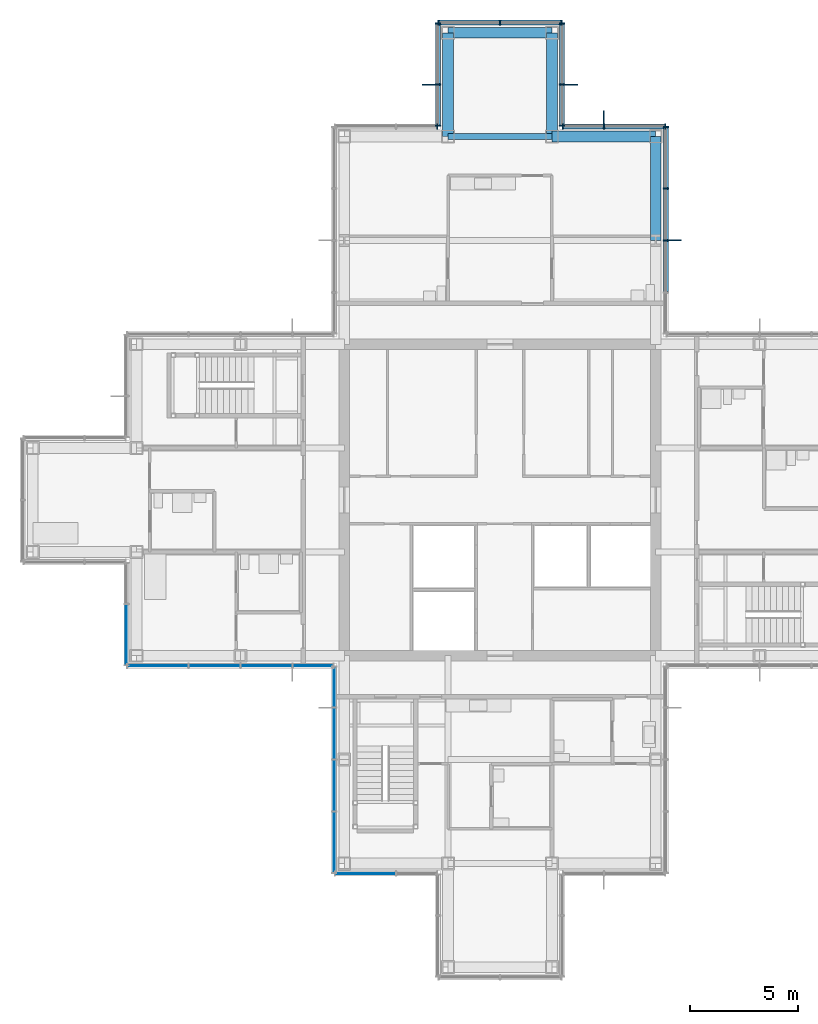
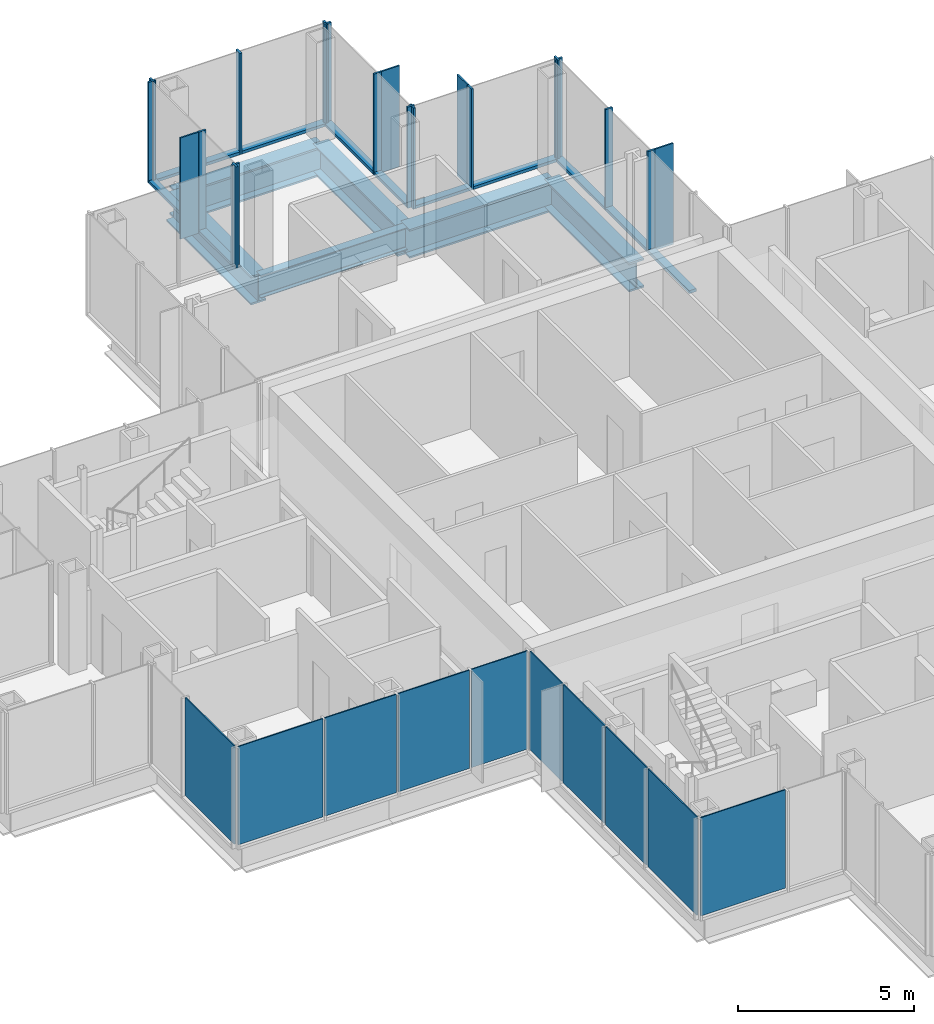
# One storey, part 9 of 17: 31 members, 10 plates, 6 beams, 10 elements without a shape of their own.
"""IFC4 building model written with IfcOpenShell, lengths in metres."""

from ifc_helpers import new_model, si_unit, direction, frame, origin, origin_2d, place, context, subcontext, project, spatial, rectangle, i_section, extrude, material, layer, layer_set, material_profile, profile_set, type_object, element, aggregate, save


model = new_model("IFC4")

# Units and contexts
model_context = context("Model", 3, precision=1e-05, world=origin(), true_north=direction((0.0, 1.0)))
body_context = subcontext(model_context, "Body", "Model", "MODEL_VIEW")
ifc_project = project(units=[si_unit("LENGTHUNIT", "METRE"), si_unit("AREAUNIT", "SQUARE_METRE"), si_unit("VOLUMEUNIT", "CUBIC_METRE"), si_unit("PLANEANGLEUNIT", "RADIAN"), si_unit("MASSUNIT", "GRAM", prefix="KILO")], contexts=[model_context])

# Site, building, storey
site_placement = place(None, origin())
site = spatial("IfcSite", under=ifc_project, at=site_placement, CompositionType="ELEMENT")
building_placement = place(site_placement, origin())
building = spatial("IfcBuilding", under=site, at=building_placement, Name="Kvirike Care Tower", CompositionType="ELEMENT")
storey_placement = place(building_placement, frame((0.0, 0.0, 158.5)))
storey = spatial("IfcBuildingStorey", under=building, at=storey_placement, Name="L43", CompositionType="ELEMENT", Elevation=158.5)

# Curtain wall, member
ifc_material_1 = material(Name="Anodised aluminium stick system", Category="aluminium")
curtain_wall_type = type_object("IfcCurtainWallType", Name="CW-C STICK CURTAIN WALL", PredefinedType="NOTDEFINED", material=ifc_material_1)
curtain_wall_1_placement = place(storey_placement, origin())
curtain_wall_1 = element("IfcCurtainWall", 1, at=curtain_wall_1_placement, inside=storey, type_object=curtain_wall_type, Name="Curtain wall L43 face 8", PredefinedType="NOTDEFINED")
ifc_material_2 = material(Name="Bronze anodised aluminium fin", Category="aluminium")
ifc_material_profile_1 = material_profile(ifc_material_2, rectangle(XDim=0.050048828125, YDim=0.60009765625, at=origin_2d()), Name="BRONZE FIN 600")
ifc_profile_set_1 = profile_set([ifc_material_profile_1], Name="Bronze anodised aluminium fin")
member_type_1 = type_object("IfcMemberType", Name="BRONZE FIN 600", PredefinedType="USERDEFINED", material=ifc_profile_set_1)
member_1_placement = place(storey_placement, frame((29.68994140625, 48.0, 0.0), z_axis=(0.0, 0.0, 1.0), x_axis=(0.0, 1.0, 0.0)))
member_1 = element("IfcMember", 2, at=member_1_placement, type_object=member_type_1, Name="Bronze fin L43 face 8.3", ObjectType="FIN", PredefinedType="USERDEFINED", context=body_context, shape_type="SweptSolid", body=[
    extrude(rectangle(XDim=0.050048828125, YDim=0.60009765625, at=origin_2d()), origin(), (0.0, 0.0, 1.0), 3.5),
])

curtain_wall_2_placement = place(storey_placement, origin())
curtain_wall_2 = element("IfcCurtainWall", 3, at=curtain_wall_2_placement, inside=storey, type_object=curtain_wall_type, Name="Curtain wall L43 face 9", PredefinedType="NOTDEFINED")
member_2_placement = place(storey_placement, frame((26.39990234375, 53.68994140625, 0.0), z_axis=(0.0, 0.0, 1.0), x_axis=(-1.0, 0.0, 0.0)))
member_2 = element("IfcMember", 4, at=member_2_placement, type_object=member_type_1, Name="Bronze fin L43 face 9.2", ObjectType="FIN", PredefinedType="USERDEFINED", context=body_context, shape_type="SweptSolid", body=[
    extrude(rectangle(XDim=0.050048828125, YDim=0.60009765625, at=origin_2d()), origin(), (0.0, 0.0, 1.0), 3.5),
])

curtain_wall_3_placement = place(storey_placement, origin())
curtain_wall_3 = element("IfcCurtainWall", 5, at=curtain_wall_3_placement, inside=storey, type_object=curtain_wall_type, Name="Curtain wall L43 face 10", PredefinedType="NOTDEFINED")
member_3_placement = place(storey_placement, frame((24.889892578125, 55.199951171875, 0.0), z_axis=(0.0, 0.0, 1.0), x_axis=(0.0, 1.0, 0.0)))
member_3 = element("IfcMember", 6, at=member_3_placement, type_object=member_type_1, Name="Bronze fin L43 face 10.2", ObjectType="FIN", PredefinedType="USERDEFINED", context=body_context, shape_type="SweptSolid", body=[
    extrude(rectangle(XDim=0.050048828125, YDim=0.60009765625, at=origin_2d()), origin(), (0.0, 0.0, 1.0), 3.5),
])

curtain_wall_4_placement = place(storey_placement, origin())
curtain_wall_4 = element("IfcCurtainWall", 7, at=curtain_wall_4_placement, inside=storey, type_object=curtain_wall_type, Name="Curtain wall L43 face 12", PredefinedType="NOTDEFINED")
member_4_placement = place(storey_placement, frame((18.31005859375, 55.199951171875, 0.0), z_axis=(0.0, 0.0, 1.0), x_axis=(0.0, -1.0, 0.0)))
member_4 = element("IfcMember", 8, at=member_4_placement, type_object=member_type_1, Name="Bronze fin L43 face 12.2", ObjectType="FIN", PredefinedType="USERDEFINED", context=body_context, shape_type="SweptSolid", body=[
    extrude(rectangle(XDim=0.050048828125, YDim=0.60009765625, at=origin_2d()), origin(), (0.0, 0.0, 1.0), 3.5),
])

# Member
ifc_material_3 = material(Name="Bronze anodised aluminium mullion", Category="aluminium")
ifc_material_profile_2 = material_profile(ifc_material_3, rectangle(XDim=0.06494140625, YDim=0.239990234375, at=origin_2d()), Name="CW-C MULLION 65x240")
ifc_profile_set_2 = profile_set([ifc_material_profile_2], Name="Bronze anodised aluminium mullion")
member_type_2 = type_object("IfcMemberType", Name="CW-C MULLION 65x240", PredefinedType="MULLION", material=ifc_profile_set_2)
member_5_placement = place(storey_placement, frame((29.27001953125, 48.0, 0.0), z_axis=(0.0, 0.0, 1.0), x_axis=(0.0, 1.0, 0.0)))
member_5 = element("IfcMember", 9, at=member_5_placement, type_object=member_type_2, Name="CW-C mullion L43 face 8.3", PredefinedType="MULLION", context=body_context, shape_type="SweptSolid", body=[
    extrude(rectangle(XDim=0.06494140625, YDim=0.239990234375, at=origin_2d()), origin(), (0.0, 0.0, 1.0), 3.5),
])

member_6_placement = place(storey_placement, frame((29.27001953125, 50.39990234375, 0.0), z_axis=(0.0, 0.0, 1.0), x_axis=(0.0, 1.0, 0.0)))
member_6 = element("IfcMember", 10, at=member_6_placement, type_object=member_type_2, Name="CW-C mullion L43 face 8.4", PredefinedType="MULLION", context=body_context, shape_type="SweptSolid", body=[
    extrude(rectangle(XDim=0.06494140625, YDim=0.239990234375, at=origin_2d()), origin(), (0.0, 0.0, 1.0), 3.5),
])

member_7_placement = place(storey_placement, frame((29.27001953125, 53.237548828125, 0.0), z_axis=(0.0, 0.0, 1.0), x_axis=(0.0, 1.0, 0.0)))
member_7 = element("IfcMember", 11, at=member_7_placement, type_object=member_type_2, Name="CW-C mullion L43 face 8.5", PredefinedType="MULLION", context=body_context, shape_type="SweptSolid", body=[
    extrude(rectangle(XDim=0.06494140625, YDim=0.239990234375, at=origin_2d()), origin(), (0.0, 0.0, 1.0), 3.5),
])

member_8_placement = place(storey_placement, frame((29.237548828125, 53.27001953125, 0.0), z_axis=(0.0, 0.0, 1.0), x_axis=(-1.0, 0.0, 0.0)))
member_8 = element("IfcMember", 12, at=member_8_placement, type_object=member_type_2, Name="CW-C mullion L43 face 9.1", PredefinedType="MULLION", context=body_context, shape_type="SweptSolid", body=[
    extrude(rectangle(XDim=0.06494140625, YDim=0.239990234375, at=origin_2d()), origin(), (0.0, 0.0, 1.0), 3.5),
])

member_9_placement = place(storey_placement, frame((26.39990234375, 53.27001953125, 0.0), z_axis=(0.0, 0.0, 1.0), x_axis=(-1.0, 0.0, 0.0)))
member_9 = element("IfcMember", 13, at=member_9_placement, type_object=member_type_2, Name="CW-C mullion L43 face 9.2", PredefinedType="MULLION", context=body_context, shape_type="SweptSolid", body=[
    extrude(rectangle(XDim=0.06494140625, YDim=0.239990234375, at=origin_2d()), origin(), (0.0, 0.0, 1.0), 3.5),
])

member_10_placement = place(storey_placement, frame((24.50244140625, 53.27001953125, 0.0), z_axis=(0.0, 0.0, 1.0), x_axis=(-1.0, 0.0, 0.0)))
member_10 = element("IfcMember", 14, at=member_10_placement, type_object=member_type_2, Name="CW-C mullion L43 face 9.3", PredefinedType="MULLION", context=body_context, shape_type="SweptSolid", body=[
    extrude(rectangle(XDim=0.06494140625, YDim=0.239990234375, at=origin_2d()), origin(), (0.0, 0.0, 1.0), 3.5),
])

member_11_placement = place(storey_placement, frame((24.469970703125, 53.302490234375, 0.0), z_axis=(0.0, 0.0, 1.0), x_axis=(0.0, 1.0, 0.0)))
member_11 = element("IfcMember", 15, at=member_11_placement, type_object=member_type_2, Name="CW-C mullion L43 face 10.1", PredefinedType="MULLION", context=body_context, shape_type="SweptSolid", body=[
    extrude(rectangle(XDim=0.06494140625, YDim=0.239990234375, at=origin_2d()), origin(), (0.0, 0.0, 1.0), 3.5),
])

member_12_placement = place(storey_placement, frame((24.469970703125, 55.199951171875, 0.0), z_axis=(0.0, 0.0, 1.0), x_axis=(0.0, 1.0, 0.0)))
member_12 = element("IfcMember", 16, at=member_12_placement, type_object=member_type_2, Name="CW-C mullion L43 face 10.2", PredefinedType="MULLION", context=body_context, shape_type="SweptSolid", body=[
    extrude(rectangle(XDim=0.06494140625, YDim=0.239990234375, at=origin_2d()), origin(), (0.0, 0.0, 1.0), 3.5),
])

member_13_placement = place(storey_placement, frame((24.469970703125, 58.03759765625, 0.0), z_axis=(0.0, 0.0, 1.0), x_axis=(0.0, 1.0, 0.0)))
member_13 = element("IfcMember", 17, at=member_13_placement, type_object=member_type_2, Name="CW-C mullion L43 face 10.3", PredefinedType="MULLION", context=body_context, shape_type="SweptSolid", body=[
    extrude(rectangle(XDim=0.06494140625, YDim=0.239990234375, at=origin_2d()), origin(), (0.0, 0.0, 1.0), 3.5),
])

# Curtain wall, members
curtain_wall_5_placement = place(storey_placement, origin())
curtain_wall_5 = element("IfcCurtainWall", 18, at=curtain_wall_5_placement, inside=storey, type_object=curtain_wall_type, Name="Curtain wall L43 face 11", PredefinedType="NOTDEFINED")
member_14_placement = place(storey_placement, frame((24.4375, 58.070068359375, 0.0), z_axis=(0.0, 0.0, 1.0), x_axis=(-1.0, 0.0, 0.0)))
member_14 = element("IfcMember", 19, at=member_14_placement, type_object=member_type_2, Name="CW-C mullion L43 face 11.1", PredefinedType="MULLION", context=body_context, shape_type="SweptSolid", body=[
    extrude(rectangle(XDim=0.06494140625, YDim=0.239990234375, at=origin_2d()), origin(), (0.0, 0.0, 1.0), 3.5),
])
member_15_placement = place(storey_placement, frame((21.60009765625, 58.070068359375, 0.0), z_axis=(0.0, 0.0, 1.0), x_axis=(-1.0, 0.0, 0.0)))
member_15 = element("IfcMember", 20, at=member_15_placement, type_object=member_type_2, Name="CW-C mullion L43 face 11.2", PredefinedType="MULLION", context=body_context, shape_type="SweptSolid", body=[
    extrude(rectangle(XDim=0.06494140625, YDim=0.239990234375, at=origin_2d()), origin(), (0.0, 0.0, 1.0), 3.5),
])
member_16_placement = place(storey_placement, frame((18.762451171875, 58.070068359375, 0.0), z_axis=(0.0, 0.0, 1.0), x_axis=(-1.0, 0.0, 0.0)))
member_16 = element("IfcMember", 21, at=member_16_placement, type_object=member_type_2, Name="CW-C mullion L43 face 11.3", PredefinedType="MULLION", context=body_context, shape_type="SweptSolid", body=[
    extrude(rectangle(XDim=0.06494140625, YDim=0.239990234375, at=origin_2d()), origin(), (0.0, 0.0, 1.0), 3.5),
])

# Member
member_17_placement = place(storey_placement, frame((18.72998046875, 58.03759765625, 0.0), z_axis=(0.0, 0.0, 1.0), x_axis=(0.0, -1.0, 0.0)))
member_17 = element("IfcMember", 22, at=member_17_placement, type_object=member_type_2, Name="CW-C mullion L43 face 12.1", PredefinedType="MULLION", context=body_context, shape_type="SweptSolid", body=[
    extrude(rectangle(XDim=0.06494140625, YDim=0.239990234375, at=origin_2d()), origin(), (0.0, 0.0, 1.0), 3.5),
])

member_18_placement = place(storey_placement, frame((18.72998046875, 55.199951171875, 0.0), z_axis=(0.0, 0.0, 1.0), x_axis=(0.0, -1.0, 0.0)))
member_18 = element("IfcMember", 23, at=member_18_placement, type_object=member_type_2, Name="CW-C mullion L43 face 12.2", PredefinedType="MULLION", context=body_context, shape_type="SweptSolid", body=[
    extrude(rectangle(XDim=0.06494140625, YDim=0.239990234375, at=origin_2d()), origin(), (0.0, 0.0, 1.0), 3.5),
])

member_19_placement = place(storey_placement, frame((18.72998046875, 53.302490234375, 0.0), z_axis=(0.0, 0.0, 1.0), x_axis=(0.0, -1.0, 0.0)))
member_19 = element("IfcMember", 24, at=member_19_placement, type_object=member_type_2, Name="CW-C mullion L43 face 12.3", PredefinedType="MULLION", context=body_context, shape_type="SweptSolid", body=[
    extrude(rectangle(XDim=0.06494140625, YDim=0.239990234375, at=origin_2d()), origin(), (0.0, 0.0, 1.0), 3.5),
])

# Curtain wall, member
curtain_wall_6_placement = place(storey_placement, origin())
curtain_wall_6 = element("IfcCurtainWall", 25, at=curtain_wall_6_placement, inside=storey, type_object=curtain_wall_type, Name="Curtain wall L43 face 13", PredefinedType="NOTDEFINED")
member_20_placement = place(storey_placement, frame((18.697509765625, 53.27001953125, 0.0), z_axis=(0.0, 0.0, 1.0), x_axis=(-1.0, 0.0, 0.0)))
member_20 = element("IfcMember", 26, at=member_20_placement, type_object=member_type_2, Name="CW-C mullion L43 face 13.1", PredefinedType="MULLION", context=body_context, shape_type="SweptSolid", body=[
    extrude(rectangle(XDim=0.06494140625, YDim=0.239990234375, at=origin_2d()), origin(), (0.0, 0.0, 1.0), 3.5),
])
aggregate(curtain_wall_6, [member_20])

# Member
ifc_material_4 = material(Name="Bronze anodised aluminium transom", Category="aluminium")
ifc_material_profile_3 = material_profile(ifc_material_4, rectangle(XDim=0.239990234375, YDim=0.10009765625, at=origin_2d()), Name="CW-C TRANSOM 240x100")
ifc_profile_set_3 = profile_set([ifc_material_profile_3], Name="Bronze anodised aluminium transom")
member_type_3 = type_object("IfcMemberType", Name="CW-C TRANSOM 240x100", PredefinedType="USERDEFINED", material=ifc_profile_set_3)
member_21_placement = place(storey_placement, frame((29.27001953125, 45.632568359375, 0.050048828125), z_axis=(0.0, 1.0, 0.0), x_axis=(-1.0, 0.0, 0.0)))
member_21 = element("IfcMember", 27, at=member_21_placement, type_object=member_type_3, Name="CW-C sill transom L43 face 8.2", ObjectType="TRANSOM", PredefinedType="USERDEFINED", context=body_context, shape_type="SweptSolid", body=[
    extrude(rectangle(XDim=0.239990234375, YDim=0.10009765625, at=origin_2d()), origin(), (0.0, 0.0, 1.0), 2.3349609375),
])

member_22_placement = place(storey_placement, frame((29.27001953125, 48.032470703125, 0.050048828125), z_axis=(0.0, 1.0, 0.0), x_axis=(-1.0, 0.0, 0.0)))
member_22 = element("IfcMember", 28, at=member_22_placement, type_object=member_type_3, Name="CW-C sill transom L43 face 8.3", ObjectType="TRANSOM", PredefinedType="USERDEFINED", context=body_context, shape_type="SweptSolid", body=[
    extrude(rectangle(XDim=0.239990234375, YDim=0.10009765625, at=origin_2d()), origin(), (0.0, 0.0, 1.0), 2.3349609375),
])

member_23_placement = place(storey_placement, frame((29.27001953125, 50.4326171875, 0.050048828125), z_axis=(0.0, 1.0, 0.0), x_axis=(-1.0, 0.0, 0.0)))
member_23 = element("IfcMember", 29, at=member_23_placement, type_object=member_type_3, Name="CW-C sill transom L43 face 8.4", ObjectType="TRANSOM", PredefinedType="USERDEFINED", context=body_context, shape_type="SweptSolid", body=[
    extrude(rectangle(XDim=0.239990234375, YDim=0.10009765625, at=origin_2d()), origin(), (0.0, 0.0, 1.0), 2.7724609375),
])

aggregate(curtain_wall_1, [member_5, member_1, member_6, member_7, member_21, member_22, member_23])

member_24_placement = place(storey_placement, frame((29.205078125, 53.27001953125, 0.050048828125), z_axis=(-1.0, 0.0, 0.0), x_axis=(0.0, -1.0, 0.0)))
member_24 = element("IfcMember", 30, at=member_24_placement, type_object=member_type_3, Name="CW-C sill transom L43 face 9.1", ObjectType="TRANSOM", PredefinedType="USERDEFINED", context=body_context, shape_type="SweptSolid", body=[
    extrude(rectangle(XDim=0.239990234375, YDim=0.10009765625, at=origin_2d()), origin(), (0.0, 0.0, 1.0), 2.7724609375),
])

member_25_placement = place(storey_placement, frame((26.367431640625, 53.27001953125, 0.050048828125), z_axis=(-1.0, 0.0, 0.0), x_axis=(0.0, -1.0, 0.0)))
member_25 = element("IfcMember", 31, at=member_25_placement, type_object=member_type_3, Name="CW-C sill transom L43 face 9.2", ObjectType="TRANSOM", PredefinedType="USERDEFINED", context=body_context, shape_type="SweptSolid", body=[
    extrude(rectangle(XDim=0.239990234375, YDim=0.10009765625, at=origin_2d()), origin(), (0.0, 0.0, 1.0), 1.83251953125),
])

aggregate(curtain_wall_2, [member_8, member_9, member_2, member_10, member_24, member_25])

member_26_placement = place(storey_placement, frame((24.469970703125, 53.3349609375, 0.050048828125), z_axis=(0.0, 1.0, 0.0), x_axis=(-1.0, 0.0, 0.0)))
member_26 = element("IfcMember", 32, at=member_26_placement, type_object=member_type_3, Name="CW-C sill transom L43 face 10.1", ObjectType="TRANSOM", PredefinedType="USERDEFINED", context=body_context, shape_type="SweptSolid", body=[
    extrude(rectangle(XDim=0.239990234375, YDim=0.10009765625, at=origin_2d()), origin(), (0.0, 0.0, 1.0), 1.83251953125),
])

member_27_placement = place(storey_placement, frame((24.469970703125, 55.232421875, 0.050048828125), z_axis=(0.0, 1.0, 0.0), x_axis=(-1.0, 0.0, 0.0)))
member_27 = element("IfcMember", 33, at=member_27_placement, type_object=member_type_3, Name="CW-C sill transom L43 face 10.2", ObjectType="TRANSOM", PredefinedType="USERDEFINED", context=body_context, shape_type="SweptSolid", body=[
    extrude(rectangle(XDim=0.239990234375, YDim=0.10009765625, at=origin_2d()), origin(), (0.0, 0.0, 1.0), 2.7724609375),
])

aggregate(curtain_wall_3, [member_11, member_12, member_3, member_13, member_26, member_27])

member_28_placement = place(storey_placement, frame((24.405029296875, 58.070068359375, 0.050048828125), z_axis=(-1.0, 0.0, 0.0), x_axis=(0.0, -1.0, 0.0)))
member_28 = element("IfcMember", 34, at=member_28_placement, type_object=member_type_3, Name="CW-C sill transom L43 face 11.1", ObjectType="TRANSOM", PredefinedType="USERDEFINED", context=body_context, shape_type="SweptSolid", body=[
    extrude(rectangle(XDim=0.239990234375, YDim=0.10009765625, at=origin_2d()), origin(), (0.0, 0.0, 1.0), 2.7724609375),
])

member_29_placement = place(storey_placement, frame((21.5673828125, 58.070068359375, 0.050048828125), z_axis=(-1.0, 0.0, 0.0), x_axis=(0.0, -1.0, 0.0)))
member_29 = element("IfcMember", 35, at=member_29_placement, type_object=member_type_3, Name="CW-C sill transom L43 face 11.2", ObjectType="TRANSOM", PredefinedType="USERDEFINED", context=body_context, shape_type="SweptSolid", body=[
    extrude(rectangle(XDim=0.239990234375, YDim=0.10009765625, at=origin_2d()), origin(), (0.0, 0.0, 1.0), 2.7724609375),
])

aggregate(curtain_wall_5, [member_14, member_15, member_16, member_28, member_29])

member_30_placement = place(storey_placement, frame((18.72998046875, 58.0048828125, 0.050048828125), z_axis=(0.0, -1.0, 0.0), x_axis=(1.0, 0.0, 0.0)))
member_30 = element("IfcMember", 36, at=member_30_placement, type_object=member_type_3, Name="CW-C sill transom L43 face 12.1", ObjectType="TRANSOM", PredefinedType="USERDEFINED", context=body_context, shape_type="SweptSolid", body=[
    extrude(rectangle(XDim=0.239990234375, YDim=0.10009765625, at=origin_2d()), origin(), (0.0, 0.0, 1.0), 2.7724609375),
])

member_31_placement = place(storey_placement, frame((18.72998046875, 55.16748046875, 0.050048828125), z_axis=(0.0, -1.0, 0.0), x_axis=(1.0, 0.0, 0.0)))
member_31 = element("IfcMember", 37, at=member_31_placement, type_object=member_type_3, Name="CW-C sill transom L43 face 12.2", ObjectType="TRANSOM", PredefinedType="USERDEFINED", context=body_context, shape_type="SweptSolid", body=[
    extrude(rectangle(XDim=0.239990234375, YDim=0.10009765625, at=origin_2d()), origin(), (0.0, 0.0, 1.0), 1.83251953125),
])

aggregate(curtain_wall_4, [member_17, member_18, member_4, member_19, member_30, member_31])

# Beams
ifc_material_5 = material(Name="Steel S355", Category="steel")
ifc_material_profile_4 = material_profile(ifc_material_5, i_section(OverallWidth=0.26806640625, OverallDepth=0.77001953125, WebThickness=0.015625, FlangeThickness=0.025390625, FilletRadius=0.01708984375, at=origin_2d()), Name="IPE 750x196")
ifc_profile_set_4 = profile_set([ifc_material_profile_4], Name="Steel S355")
beam_type_1 = type_object("IfcBeamType", Name="FLOOR BEAM IPE 750x196", PredefinedType="BEAM", material=ifc_profile_set_4)
beam_placement = place(storey_placement, frame((19.199951171875, 52.800048828125, -0.554931640625), z_axis=(1.0, 0.0, 0.0), x_axis=(0.0, 1.0, 0.0)))
element("IfcBeam", 38, at=beam_placement, inside=storey, type_object=beam_type_1, Name="Floor Beam M7-M8 L43", PredefinedType="BEAM", context=body_context, shape_type="SweptSolid", body=[
    extrude(i_section(OverallWidth=0.26806640625, OverallDepth=0.77001953125, WebThickness=0.015625, FlangeThickness=0.025390625, FilletRadius=0.01708984375, at=origin_2d()), origin(), (0.0, 0.0, 1.0), 4.800048828125),
])
ifc_material_6 = material(Name="Steel S355", Category="steel")
ifc_material_profile_5 = material_profile(ifc_material_6, i_section(OverallWidth=0.5, OverallDepth=1.0, WebThickness=0.030029296875, FlangeThickness=0.06005859375, at=origin_2d()), Name="PG 1000x500x30x60")
ifc_profile_set_5 = profile_set([ifc_material_profile_5], Name="Steel S355")
beam_type_2 = type_object("IfcBeamType", Name="SPANDREL PG 1000x500x30x60", PredefinedType="SPANDREL", material=ifc_profile_set_5)
for number, where, z_axis, x_axis, name in (
    (39, (24.0, 52.800048828125, -0.669921875), (1.0, 0.0, 0.0), (0.0, 1.0, 0.0), "Spandrel M8-M9 L43"),
    (40, (19.199951171875, 57.60009765625, -0.669921875), (1.0, 0.0, 0.0), (0.0, 1.0, 0.0), "Spandrel N7-N8 L43"),
    (41, (19.199951171875, 52.800048828125, -0.669921875), (0.0, 1.0, 0.0), (-1.0, 0.0, 0.0), "Spandrel M7-N7 L43"),
    (42, (24.0, 52.800048828125, -0.669921875), (0.0, 1.0, 0.0), (-1.0, 0.0, 0.0), "Spandrel M8-N8 L43"),
    (43, (28.800048828125, 48.0, -0.669921875), (0.0, 1.0, 0.0), (-1.0, 0.0, 0.0), "Spandrel L9-M9 L43"),
):
    element("IfcBeam", number, at=place(storey_placement, frame(where, z_axis=z_axis, x_axis=x_axis)), inside=storey, type_object=beam_type_2, Name=name, PredefinedType="SPANDREL", context=body_context, shape_type="SweptSolid", body=[
        extrude(i_section(OverallWidth=0.5, OverallDepth=1.0, WebThickness=0.030029296875, FlangeThickness=0.06005859375, at=origin_2d()), origin(), (0.0, 0.0, 1.0), 4.800048828125),
    ])

# Curtain wall, plate
curtain_wall_7_placement = place(storey_placement, origin())
curtain_wall_7 = element("IfcCurtainWall", 44, at=curtain_wall_7_placement, inside=storey, type_object=curtain_wall_type, Name="Curtain wall L43 face 20", PredefinedType="NOTDEFINED")
ifc_material_7 = material(Name="Tinted double glazed unit", Category="glass")
ifc_layer = layer(ifc_material_7, 0.0400390625)
ifc_layer_set = layer_set([ifc_layer], Name="TINTED VISION PANEL 40")
plate_type = type_object("IfcPlateType", Name="TINTED VISION PANEL 40", PredefinedType="CURTAIN_PANEL", material=ifc_layer_set)
plate_1_placement = place(storey_placement, frame((4.330078125, 29.78125, 0.10009765625), z_axis=(0.0, 0.0, 1.0), x_axis=(0.0, -1.0, 0.0)))
plate_1 = element("IfcPlate", 45, at=plate_1_placement, type_object=plate_type, Name="CW-C panel L43 face 20.2", PredefinedType="CURTAIN_PANEL", context=body_context, shape_type="SweptSolid", body=[
    extrude(rectangle(XDim=2.7724609375, YDim=0.0400390625, at=origin_2d()), origin(), (0.0, 0.0, 1.0), 3.39990234375),
])
aggregate(curtain_wall_7, [plate_1])

# Curtain wall, plates
curtain_wall_8_placement = place(storey_placement, origin())
curtain_wall_8 = element("IfcCurtainWall", 46, at=curtain_wall_8_placement, inside=storey, type_object=curtain_wall_type, Name="Curtain wall L43 face 21", PredefinedType="NOTDEFINED")
plate_2_placement = place(storey_placement, frame((5.78125, 28.330078125, 0.10009765625), z_axis=(0.0, 0.0, 1.0), x_axis=(1.0, 0.0, 0.0)))
plate_2 = element("IfcPlate", 47, at=plate_2_placement, type_object=plate_type, Name="CW-C panel L43 face 21.1", PredefinedType="CURTAIN_PANEL", context=body_context, shape_type="SweptSolid", body=[
    extrude(rectangle(XDim=2.7724609375, YDim=0.0400390625, at=origin_2d()), origin(), (0.0, 0.0, 1.0), 3.39990234375),
])
plate_3_placement = place(storey_placement, frame((8.39990234375, 28.330078125, 0.10009765625), z_axis=(0.0, 0.0, 1.0), x_axis=(1.0, 0.0, 0.0)))
plate_3 = element("IfcPlate", 48, at=plate_3_placement, type_object=plate_type, Name="CW-C panel L43 face 21.2", PredefinedType="CURTAIN_PANEL", context=body_context, shape_type="SweptSolid", body=[
    extrude(rectangle(XDim=2.3349609375, YDim=0.0400390625, at=origin_2d()), origin(), (0.0, 0.0, 1.0), 3.39990234375),
])
plate_4_placement = place(storey_placement, frame((10.800048828125, 28.330078125, 0.10009765625), z_axis=(0.0, 0.0, 1.0), x_axis=(1.0, 0.0, 0.0)))
plate_4 = element("IfcPlate", 49, at=plate_4_placement, type_object=plate_type, Name="CW-C panel L43 face 21.3", PredefinedType="CURTAIN_PANEL", context=body_context, shape_type="SweptSolid", body=[
    extrude(rectangle(XDim=2.3349609375, YDim=0.0400390625, at=origin_2d()), origin(), (0.0, 0.0, 1.0), 3.39990234375),
])
plate_5_placement = place(storey_placement, frame((12.94873046875, 28.330078125, 0.10009765625), z_axis=(0.0, 0.0, 1.0), x_axis=(1.0, 0.0, 0.0)))
plate_5 = element("IfcPlate", 50, at=plate_5_placement, type_object=plate_type, Name="CW-C panel L43 face 21.4", PredefinedType="CURTAIN_PANEL", context=body_context, shape_type="SweptSolid", body=[
    extrude(rectangle(XDim=1.83251953125, YDim=0.0400390625, at=origin_2d()), origin(), (0.0, 0.0, 1.0), 3.39990234375),
])
aggregate(curtain_wall_8, [plate_2, plate_3, plate_4, plate_5])

curtain_wall_9_placement = place(storey_placement, origin())
curtain_wall_9 = element("IfcCurtainWall", 51, at=curtain_wall_9_placement, inside=storey, type_object=curtain_wall_type, Name="Curtain wall L43 face 22", PredefinedType="NOTDEFINED")
plate_6_placement = place(storey_placement, frame((13.929931640625, 27.3486328125, 0.10009765625), z_axis=(0.0, 0.0, 1.0), x_axis=(0.0, -1.0, 0.0)))
plate_6 = element("IfcPlate", 52, at=plate_6_placement, type_object=plate_type, Name="CW-C panel L43 face 22.1", PredefinedType="CURTAIN_PANEL", context=body_context, shape_type="SweptSolid", body=[
    extrude(rectangle(XDim=1.83251953125, YDim=0.0400390625, at=origin_2d()), origin(), (0.0, 0.0, 1.0), 3.39990234375),
])
plate_7_placement = place(storey_placement, frame((13.929931640625, 25.199951171875, 0.10009765625), z_axis=(0.0, 0.0, 1.0), x_axis=(0.0, -1.0, 0.0)))
plate_7 = element("IfcPlate", 53, at=plate_7_placement, type_object=plate_type, Name="CW-C panel L43 face 22.2", PredefinedType="CURTAIN_PANEL", context=body_context, shape_type="SweptSolid", body=[
    extrude(rectangle(XDim=2.3349609375, YDim=0.0400390625, at=origin_2d()), origin(), (0.0, 0.0, 1.0), 3.39990234375),
])
plate_8_placement = place(storey_placement, frame((13.929931640625, 22.800048828125, 0.10009765625), z_axis=(0.0, 0.0, 1.0), x_axis=(0.0, -1.0, 0.0)))
plate_8 = element("IfcPlate", 54, at=plate_8_placement, type_object=plate_type, Name="CW-C panel L43 face 22.3", PredefinedType="CURTAIN_PANEL", context=body_context, shape_type="SweptSolid", body=[
    extrude(rectangle(XDim=2.3349609375, YDim=0.0400390625, at=origin_2d()), origin(), (0.0, 0.0, 1.0), 3.39990234375),
])
plate_9_placement = place(storey_placement, frame((13.929931640625, 20.18115234375, 0.10009765625), z_axis=(0.0, 0.0, 1.0), x_axis=(0.0, -1.0, 0.0)))
plate_9 = element("IfcPlate", 55, at=plate_9_placement, type_object=plate_type, Name="CW-C panel L43 face 22.4", PredefinedType="CURTAIN_PANEL", context=body_context, shape_type="SweptSolid", body=[
    extrude(rectangle(XDim=2.7724609375, YDim=0.0400390625, at=origin_2d()), origin(), (0.0, 0.0, 1.0), 3.39990234375),
])
aggregate(curtain_wall_9, [plate_6, plate_7, plate_8, plate_9])

# Curtain wall, plate
curtain_wall_10_placement = place(storey_placement, origin())
curtain_wall_10 = element("IfcCurtainWall", 56, at=curtain_wall_10_placement, inside=storey, type_object=curtain_wall_type, Name="Curtain wall L43 face 23", PredefinedType="NOTDEFINED")
plate_10_placement = place(storey_placement, frame((15.38134765625, 18.72998046875, 0.10009765625), z_axis=(0.0, 0.0, 1.0), x_axis=(1.0, 0.0, 0.0)))
plate_10 = element("IfcPlate", 57, at=plate_10_placement, type_object=plate_type, Name="CW-C panel L43 face 23.1", PredefinedType="CURTAIN_PANEL", context=body_context, shape_type="SweptSolid", body=[
    extrude(rectangle(XDim=2.7724609375, YDim=0.0400390625, at=origin_2d()), origin(), (0.0, 0.0, 1.0), 3.39990234375),
])
aggregate(curtain_wall_10, [plate_10])

save(model, "model.ifc")
